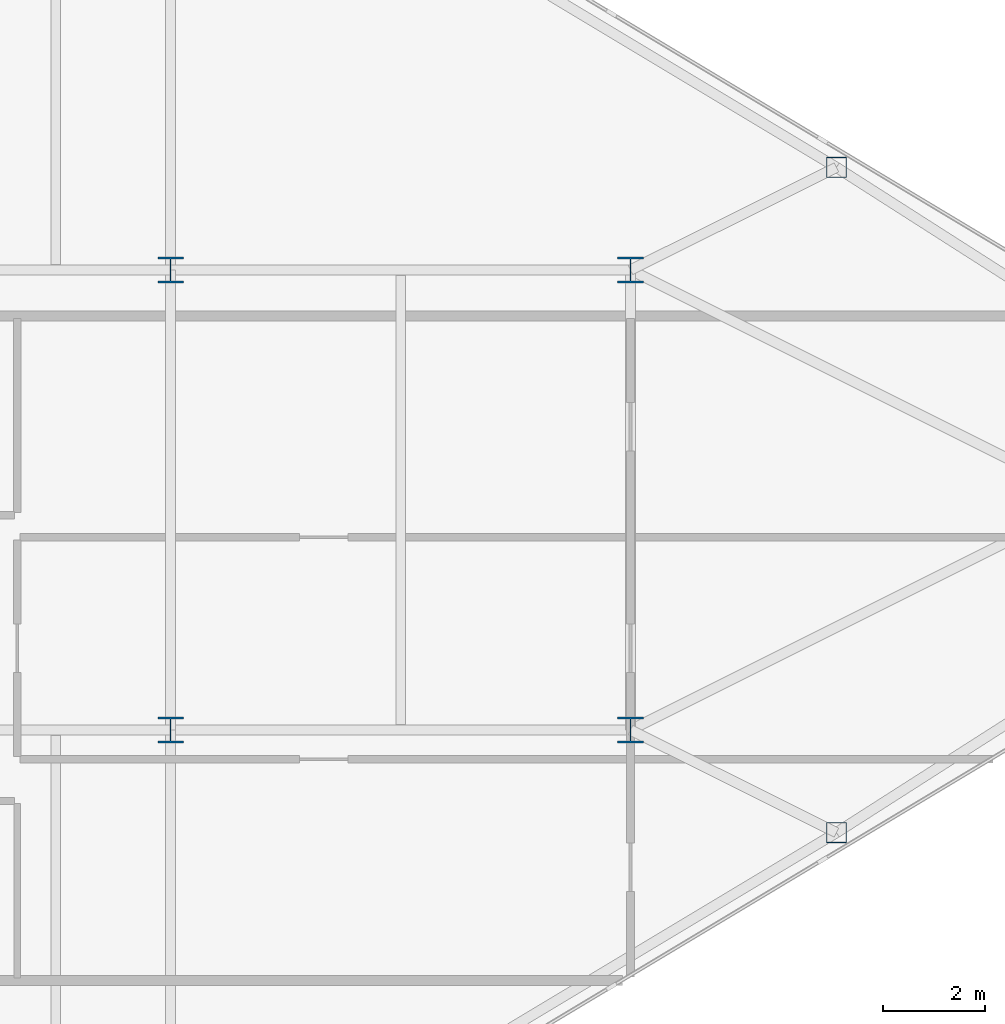
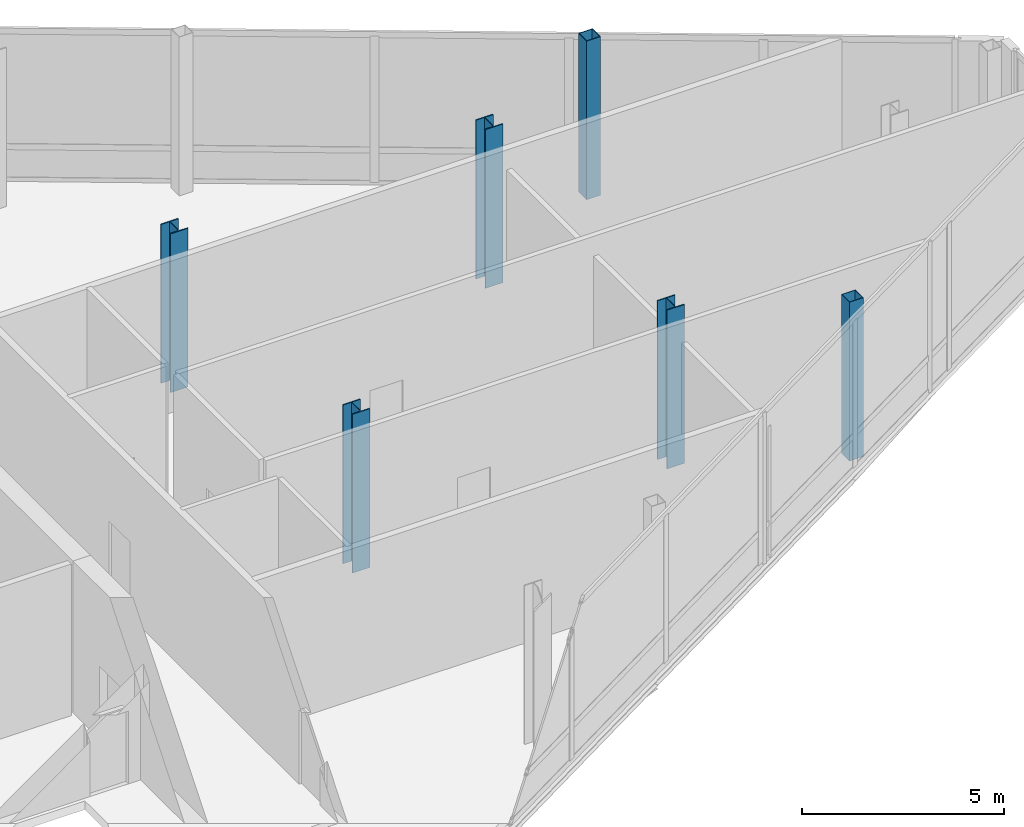
# One storey, part 5 of 30: 6 columns.
"""IFC4 building model written with IfcOpenShell, lengths in metres."""

from ifc_helpers import new_model, si_unit, direction, frame, origin, origin_2d, place, context, subcontext, project, spatial, hollow_rectangle, i_section, extrude, source, transform, mapped, material, material_profile, profile_set, type_object, type_shapes, element, save


model = new_model("IFC4")

# Units and contexts
model_context = context("Model", 3, precision=1e-05, world=origin(), true_north=direction((0.0, 1.0)))
body_context = subcontext(model_context, "Body", "Model", "MODEL_VIEW")
ifc_project = project(units=[si_unit("LENGTHUNIT", "METRE"), si_unit("AREAUNIT", "SQUARE_METRE"), si_unit("VOLUMEUNIT", "CUBIC_METRE"), si_unit("PLANEANGLEUNIT", "RADIAN"), si_unit("MASSUNIT", "GRAM", prefix="KILO")], contexts=[model_context])

# Site, building, storey
site_placement = place(None, origin())
site = spatial("IfcSite", under=ifc_project, at=site_placement, CompositionType="ELEMENT")
building_placement = place(site_placement, origin())
building = spatial("IfcBuilding", under=site, at=building_placement, Name="Seokmaru Belvedere", CompositionType="ELEMENT")
storey_placement = place(building_placement, frame((0.0, 0.0, 234.60009765625)))
storey = spatial("IfcBuildingStorey", under=building, at=storey_placement, Name="L62", CompositionType="ELEMENT", Elevation=234.60009765625)

# Columns
ifc_material = material(Name="Steel SM355 (355 MPa)", Category="steel")
ifc_material_profile_1 = material_profile(ifc_material, i_section(OverallWidth=0.5, OverallDepth=0.5, WebThickness=0.02001953125, FlangeThickness=0.031982421875, at=origin_2d()), Name="H-500x500x20x32")
ifc_profile_set_1 = profile_set([ifc_material_profile_1], Name="Steel SM355 (355 MPa)")
column_type_1 = type_object("IfcColumnType", Name="High-Rise Interior Column H-500", PredefinedType="COLUMN", material=ifc_profile_set_1)
shared_shape_1 = source(origin(), body_context, "Body", "SweptSolid", [
    extrude(i_section(OverallWidth=0.5, OverallDepth=0.5, WebThickness=0.02001953125, FlangeThickness=0.031982421875, at=origin_2d()), origin(), (0.0, 0.0, 1.0), 4.7998046875),
])
type_shapes(column_type_1, [shared_shape_1])
for number, where, z_axis, x_axis, name in (
    (1, (45.5, -4.5, 0.0), (0.0, 0.0, 1.0), (1.0, 0.0, 0.0), "L62 Column EG5_2"),
    (2, (45.5, 4.5, 0.0), (0.0, 0.0, 1.0), (1.0, 0.0, 0.0), "L62 Column EG5_3"),
    (3, (54.5, -4.5, 0.0), (0.0, 0.0, 1.0), (1.0, 0.0, 0.0), "L62 Column EG4P_1"),
    (4, (54.5, 4.5, 0.0), (0.0, 0.0, 1.0), (1.0, 0.0, 0.0), "L62 Column EG4P_2"),
):
    element("IfcColumn", number, at=place(storey_placement, frame(where, z_axis=z_axis, x_axis=x_axis)), inside=storey, type_object=column_type_1, Name=name, PredefinedType="COLUMN", context=body_context, shape_type="MappedRepresentation", body=[
        mapped(shared_shape_1, transform((0.0, 0.0, 0.0), scale=1.0)),
    ])
ifc_material_profile_2 = material_profile(ifc_material, hollow_rectangle(XDim=0.39990234375, YDim=0.39990234375, WallThickness=0.01611328125, at=origin_2d()), Name="HSS-400x400x16")
ifc_profile_set_2 = profile_set([ifc_material_profile_2], Name="Steel SM355 (355 MPa)")
column_type_2 = type_object("IfcColumnType", Name="Perimeter Facet Column HSS-400", PredefinedType="COLUMN", material=ifc_profile_set_2)
shared_shape_2 = source(origin(), body_context, "Body", "SweptSolid", [
    extrude(hollow_rectangle(XDim=0.39990234375, YDim=0.39990234375, WallThickness=0.01611328125, at=origin_2d()), origin(), (0.0, 0.0, 1.0), 4.7998046875),
])
type_shapes(column_type_2, [shared_shape_2])
for number, where, z_axis, x_axis, name in (
    (5, (58.530029296875, -6.5087890625, 0.0), (0.0, 0.0, 1.0), (1.0, 0.0, 0.0), "L62 Column EFLK_S3"),
    (6, (58.530029296875, 6.5087890625, 0.0), (0.0, 0.0, 1.0), (1.0, 0.0, 0.0), "L62 Column EFLK_N3"),
):
    element("IfcColumn", number, at=place(storey_placement, frame(where, z_axis=z_axis, x_axis=x_axis)), inside=storey, type_object=column_type_2, Name=name, PredefinedType="COLUMN", context=body_context, shape_type="MappedRepresentation", body=[
        mapped(shared_shape_2, transform((0.0, 0.0, 0.0), scale=1.0)),
    ])

save(model, "model.ifc")
